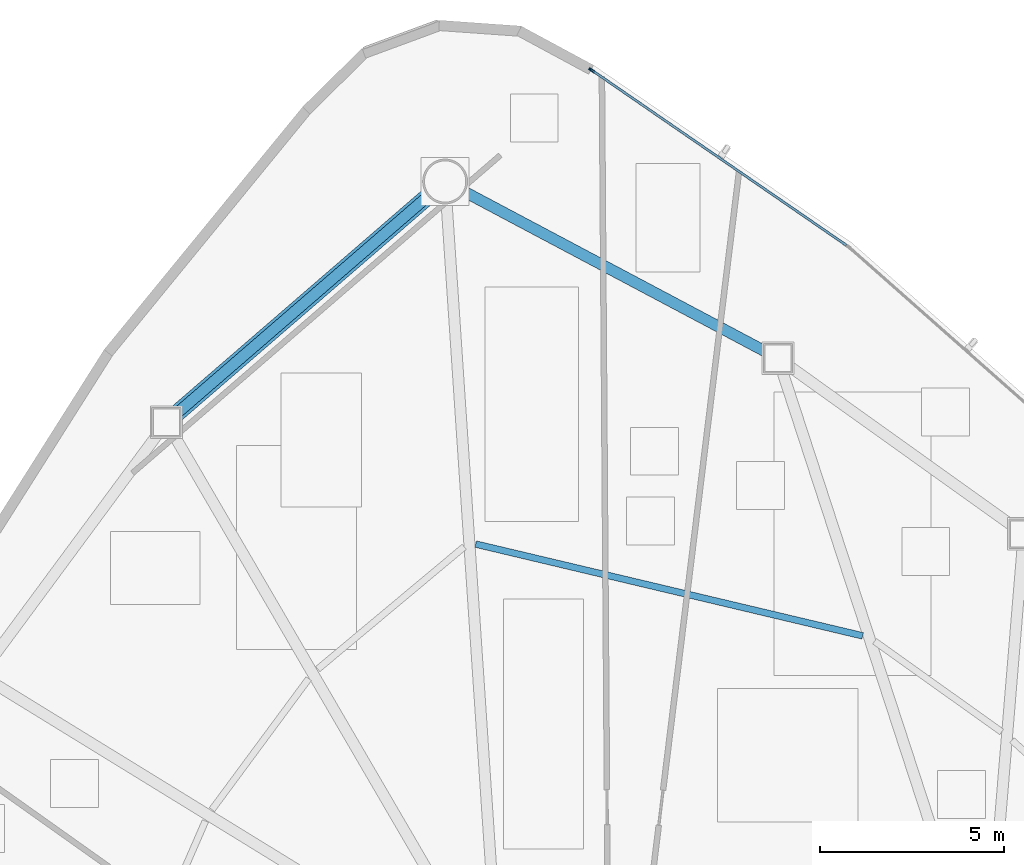
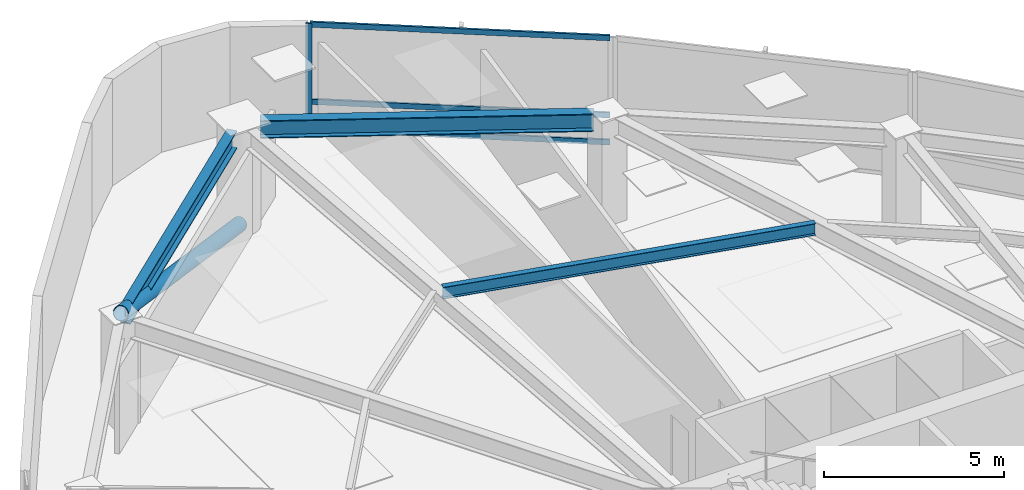
# One storey, part 9 of 18: 5 members, 3 beams, 1 element without a shape of its own.
"""IFC4 building model written with IfcOpenShell, lengths in metres."""

from ifc_helpers import new_model, si_unit, direction, frame, origin, origin_2d, place, context, subcontext, project, spatial, hollow_rectangle, hollow_circle, i_section, extrude, source, transform, mapped, material, layer, layer_set, material_profile, profile_set, type_object, type_shapes, element, aggregate, save


model = new_model("IFC4")

# Units and contexts
model_context = context("Model", 3, precision=1e-05, world=origin(), true_north=direction((0.0, 1.0)))
body_context = subcontext(model_context, "Body", "Model", "MODEL_VIEW")
ifc_project = project(units=[si_unit("LENGTHUNIT", "METRE"), si_unit("AREAUNIT", "SQUARE_METRE"), si_unit("VOLUMEUNIT", "CUBIC_METRE"), si_unit("PLANEANGLEUNIT", "RADIAN"), si_unit("MASSUNIT", "GRAM", prefix="KILO")], contexts=[model_context])

# Site, building, storey
site_placement = place(None, origin())
site = spatial("IfcSite", under=ifc_project, at=site_placement, CompositionType="ELEMENT")
building_placement = place(site_placement, origin())
building = spatial("IfcBuilding", under=site, at=building_placement, Name="Tavelor Broadcast Tower", CompositionType="ELEMENT")
storey_placement = place(building_placement, frame((0.0, 0.0, 58.800048828125)))
storey = spatial("IfcBuildingStorey", under=building, at=storey_placement, Name="L13", CompositionType="ELEMENT", Elevation=58.800048828125)

# Beams
ifc_material_1 = material(Name="Steel S355", Category="steel")
ifc_material_profile_1 = material_profile(ifc_material_1, i_section(OverallWidth=0.179931640625, OverallDepth=0.39990234375, WebThickness=0.008544921875, FlangeThickness=0.013427734375, at=origin_2d()), Name="IPE 400")
ifc_profile_set_1 = profile_set([ifc_material_profile_1], Name="Steel S355")
beam_type_1 = type_object("IfcBeamType", Name="Composite Floor Joist T1 IPE 400", PredefinedType="JOIST", material=ifc_profile_set_1)
beam_1_placement = place(storey_placement, frame((53.260986328125, 60.9287109375, 3.39990234375), z_axis=(-0.973012053378, 0.230754293526, 0.0), x_axis=(-0.230754293526, -0.973012053378, 0.0)))
element("IfcBeam", 1, at=beam_1_placement, inside=storey, type_object=beam_type_1, Name="L13 Secondary Composite Floor Joist 18", PredefinedType="JOIST", context=body_context, shape_type="SweptSolid", body=[
    extrude(i_section(OverallWidth=0.179931640625, OverallDepth=0.39990234375, WebThickness=0.008544921875, FlangeThickness=0.013427734375, at=origin_2d()), origin(), (0.0, 0.0, 1.0), 10.797119140625),
])
ifc_material_profile_2 = material_profile(ifc_material_1, i_section(OverallWidth=0.300048828125, OverallDepth=0.60009765625, WebThickness=0.015380859375, FlangeThickness=0.030029296875, at=origin_2d()), Name="HEB 600")
ifc_profile_set_2 = profile_set([ifc_material_profile_2], Name="Steel S355")
beam_type_2 = type_object("IfcBeamType", Name="Perimeter Spandrel Beam T1 HEB 600", PredefinedType="SPANDREL", material=ifc_profile_set_2)
beam_2_placement = place(storey_placement, frame((41.48046875, 72.8837890625, 3.300048828125), z_axis=(-0.756663126242, -0.653804950566, 0.0), x_axis=(0.653804950566, -0.756663126242, 0.0)))
element("IfcBeam", 2, at=beam_2_placement, inside=storey, type_object=beam_type_2, Name="L13 Framed-Tube Ring Spandrel 01", PredefinedType="SPANDREL", context=body_context, shape_type="SweptSolid", body=[
    extrude(i_section(OverallWidth=0.300048828125, OverallDepth=0.60009765625, WebThickness=0.015380859375, FlangeThickness=0.030029296875, at=origin_2d()), origin(), (0.0, 0.0, 1.0), 9.031494140625),
])
beam_3_placement = place(storey_placement, frame((50.62255859375, 68.648681640625, 3.300048828125), z_axis=(-0.883283542259, 0.468839187755, 0.0), x_axis=(-0.468839187755, -0.883283542259, 0.0)))
element("IfcBeam", 3, at=beam_3_placement, inside=storey, type_object=beam_type_2, Name="L13 Framed-Tube Ring Spandrel 18", PredefinedType="SPANDREL", context=body_context, shape_type="SweptSolid", body=[
    extrude(i_section(OverallWidth=0.300048828125, OverallDepth=0.60009765625, WebThickness=0.015380859375, FlangeThickness=0.030029296875, at=origin_2d()), origin(), (0.0, 0.0, 1.0), 9.263916015625),
])

# Member
ifc_material_profile_3 = material_profile(ifc_material_1, hollow_circle(Radius=0.228515625, WallThickness=0.02001953125, at=origin_2d()), Name="CHS 457x20")
ifc_profile_set_3 = profile_set([ifc_material_profile_3], Name="Steel S355")
member_type_1 = type_object("IfcMemberType", Name="Perimeter Tube Brace T1 CHS 457x20", PredefinedType="BRACE", material=ifc_profile_set_3)
member_1_placement = place(storey_placement, frame((41.923095703125, 73.266357421875, 0.0), z_axis=(-0.711928728007, -0.615179557123, 0.338691007758), x_axis=(0.653821967179, -0.756648422475, 0.0)))
element("IfcMember", 4, at=member_1_placement, inside=storey, type_object=member_type_1, Name="L13 Corner Tube Diagonal Brace 1", PredefinedType="BRACE", context=body_context, shape_type="SweptSolid", body=[
    extrude(hollow_circle(Radius=0.228515625, WallThickness=0.02001953125, at=origin_2d()), origin(), (0.0, 0.0, 1.0), 10.628662109375),
])

# Curtain wall, members
ifc_material_2 = material(Name="Architectural Anodized Aluminium", Category="aluminium")
ifc_layer = layer(ifc_material_2, 0.179931640625)
ifc_layer_set = layer_set([ifc_layer], Name="Architectural Anodized Aluminium")
curtain_wall_type = type_object("IfcCurtainWallType", Name="Tower Low-Zone Unitised Curtain Wall CW02", PredefinedType="NOTDEFINED", material=ifc_layer_set)
curtain_wall_placement = place(storey_placement, origin())
curtain_wall = element("IfcCurtainWall", 5, at=curtain_wall_placement, inside=storey, type_object=curtain_wall_type, Name="L13 Curtain Wall CW02 Run 120", PredefinedType="NOTDEFINED")
ifc_material_profile_4 = material_profile(ifc_material_2, hollow_rectangle(XDim=0.06494140625, YDim=0.179931640625, WallThickness=0.02197265625, at=origin_2d()), Name="RHS 65x180x22")
ifc_profile_set_4 = profile_set([ifc_material_profile_4], Name="Architectural Anodized Aluminium")
member_type_2 = type_object("IfcMemberType", Name="CW02 Extruded Aluminium Mullion 65x180", PredefinedType="MULLION", material=ifc_profile_set_4)
shared_shape_1 = source(origin(), body_context, "Body", "SweptSolid", [
    extrude(hollow_rectangle(XDim=0.06494140625, YDim=0.179931640625, WallThickness=0.02197265625, at=origin_2d()), origin(), (0.0, 0.0, 1.0), 3.599853515625),
])
type_shapes(member_type_2, [shared_shape_1])
member_2_placement = place(storey_placement, frame((45.908447265625, 76.28759765625, 0.0), z_axis=(0.0, 0.0, 1.0), x_axis=(-0.566746370047, -0.82389231823, 0.0)))
member_2 = element("IfcMember", 6, at=member_2_placement, type_object=member_type_2, Name="CW02 mullion 2", PredefinedType="MULLION", context=body_context, shape_type="MappedRepresentation", body=[
    mapped(shared_shape_1, transform((0.0, 0.0, 0.0), scale=1.0)),
])
ifc_material_profile_5 = material_profile(ifc_material_2, hollow_rectangle(XDim=0.06494140625, YDim=0.179931640625, WallThickness=0.02197265625, at=origin_2d()), Name="RHS 65x180x22")
ifc_profile_set_5 = profile_set([ifc_material_profile_5], Name="Architectural Anodized Aluminium")
member_type_3 = type_object("IfcMemberType", Name="CW02 Extruded Aluminium Transom 65x180", PredefinedType="USERDEFINED", material=ifc_profile_set_5)
shared_shape_2 = source(origin(), body_context, "Body", "SweptSolid", [
    extrude(hollow_rectangle(XDim=0.06494140625, YDim=0.179931640625, WallThickness=0.02197265625, at=origin_2d()), origin(), (0.0, 0.0, 1.0), 8.35546875),
])
type_shapes(member_type_3, [shared_shape_2])
member_3_placement = place(storey_placement, frame((52.8193359375, 71.53369140625, 0.032470703125), z_axis=(-0.823897815962, 0.566738377785, 0.0), x_axis=(-0.566738377785, -0.823897815962, 0.0)))
member_3 = element("IfcMember", 7, at=member_3_placement, type_object=member_type_3, Name="CW02 transom 1.1", ObjectType="TRANSOM", PredefinedType="USERDEFINED", context=body_context, shape_type="MappedRepresentation", body=[
    mapped(shared_shape_2, transform((0.0, 0.0, 0.0), scale=1.0)),
])
member_4_placement = place(storey_placement, frame((52.8193359375, 71.53369140625, 0.949951171875), z_axis=(-0.823897815962, 0.566738377785, 0.0), x_axis=(-0.566738377785, -0.823897815962, 0.0)))
member_4 = element("IfcMember", 8, at=member_4_placement, type_object=member_type_3, Name="CW02 transom 1.2", ObjectType="TRANSOM", PredefinedType="USERDEFINED", context=body_context, shape_type="MappedRepresentation", body=[
    mapped(shared_shape_2, transform((0.0, 0.0, 0.0), scale=1.0)),
])
member_5_placement = place(storey_placement, frame((52.8193359375, 71.53369140625, 3.5673828125), z_axis=(-0.823897815962, 0.566738377785, 0.0), x_axis=(-0.566738377785, -0.823897815962, 0.0)))
member_5 = element("IfcMember", 9, at=member_5_placement, type_object=member_type_3, Name="CW02 transom 1.3", ObjectType="TRANSOM", PredefinedType="USERDEFINED", context=body_context, shape_type="MappedRepresentation", body=[
    mapped(shared_shape_2, transform((0.0, 0.0, 0.0), scale=1.0)),
])
aggregate(curtain_wall, [member_2, member_3, member_4, member_5])

save(model, "model.ifc")
